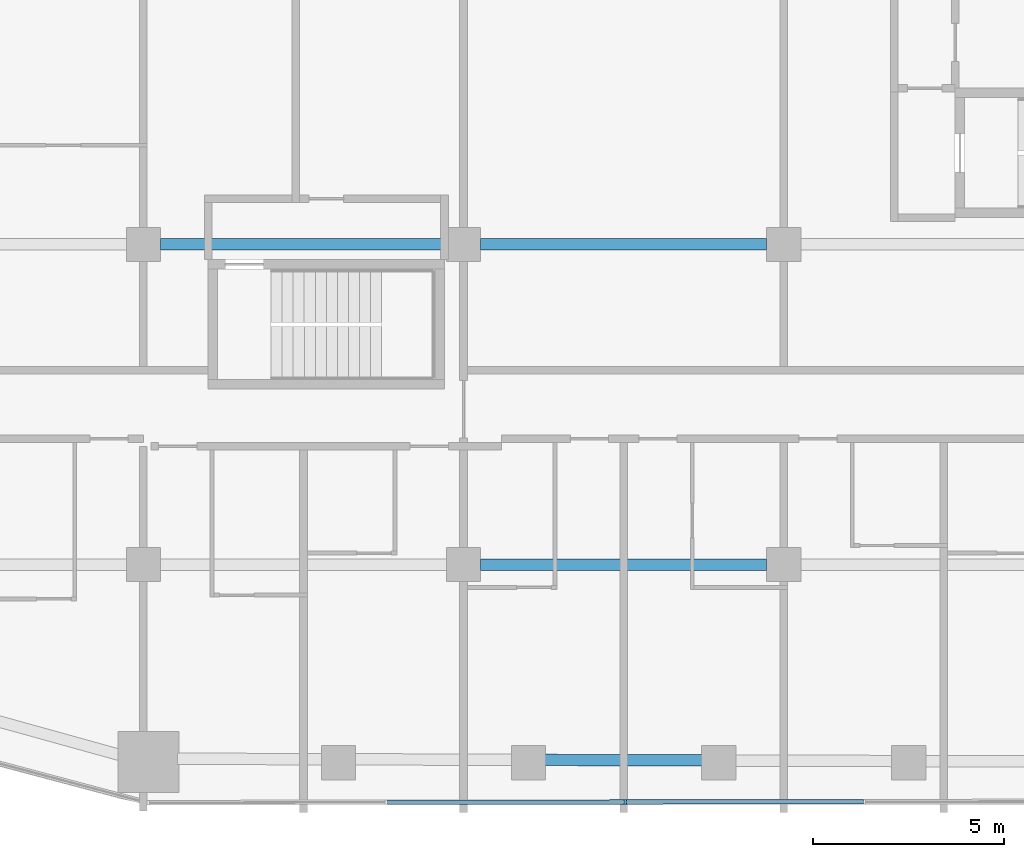
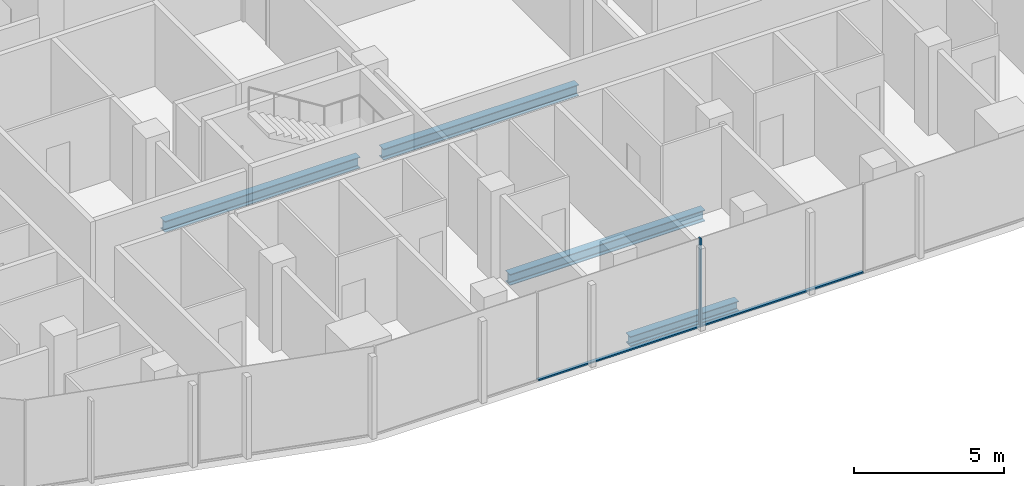
# One storey, part 3 of 23: 4 beams, 3 members, 1 element without a shape of its own.
"""IFC4 building model written with IfcOpenShell, lengths in metres."""

from ifc_helpers import new_model, si_unit, direction, frame, origin, origin_2d, place, context, subcontext, project, spatial, rectangle, i_section, extrude, material, layer, layer_set, material_profile, profile_set, type_object, element, aggregate, save


model = new_model("IFC4")

# Units and contexts
model_context = context("Model", 3, precision=1e-05, world=origin(), true_north=direction((0.0, 1.0)))
body_context = subcontext(model_context, "Body", "Model", "MODEL_VIEW")
ifc_project = project(units=[si_unit("LENGTHUNIT", "METRE"), si_unit("AREAUNIT", "SQUARE_METRE"), si_unit("VOLUMEUNIT", "CUBIC_METRE"), si_unit("PLANEANGLEUNIT", "RADIAN"), si_unit("MASSUNIT", "GRAM", prefix="KILO")], contexts=[model_context])

# Site, building, storey
site_placement = place(None, origin())
site = spatial("IfcSite", under=ifc_project, at=site_placement, CompositionType="ELEMENT")
building_placement = place(site_placement, origin())
building = spatial("IfcBuilding", under=site, at=building_placement, Name="Marenta Gate Hotel Tower", CompositionType="ELEMENT")
storey_placement = place(building_placement, frame((0.0, 0.0, 112.10009765625)))
storey = spatial("IfcBuildingStorey", under=building, at=storey_placement, Name="L24", CompositionType="ELEMENT", Elevation=112.10009765625)

# Beams
ifc_material_1 = material(Name="Steel S355", Category="steel")
ifc_material_profile_1 = material_profile(ifc_material_1, i_section(OverallWidth=0.300048828125, OverallDepth=0.39990234375, WebThickness=0.013427734375, FlangeThickness=0.02392578125, FilletRadius=0.027099609375, at=origin_2d()), Name="HEB 400")
ifc_profile_set_1 = profile_set([ifc_material_profile_1], Name="Steel S355")
beam_type_1 = type_object("IfcBeamType", Name="Edge beam HEB 400", PredefinedType="SPANDREL", material=ifc_profile_set_1)
beam_placement = place(storey_placement, frame((2.08349609375, -21.939453125, -0.460205078125), z_axis=(-0.999994808095, 0.003222387769, 0.0), x_axis=(-0.003222387769, -0.999994808095, 0.0)))
element("IfcBeam", 1, at=beam_placement, inside=storey, type_object=beam_type_1, Name="L24-EB-34", PredefinedType="SPANDREL", context=body_context, shape_type="SweptSolid", body=[
    extrude(i_section(OverallWidth=0.300048828125, OverallDepth=0.39990234375, WebThickness=0.013427734375, FlangeThickness=0.02392578125, FilletRadius=0.027099609375, at=origin_2d()), origin(), (0.0, 0.0, 1.0), 4.1669921875),
])
ifc_material_2 = material(Name="Steel S355", Category="steel")
ifc_material_profile_2 = material_profile(ifc_material_2, i_section(OverallWidth=0.300048828125, OverallDepth=0.449951171875, WebThickness=0.013916015625, FlangeThickness=0.02587890625, FilletRadius=0.027099609375, at=origin_2d()), Name="HEB 450")
ifc_profile_set_2 = profile_set([ifc_material_profile_2], Name="Steel S355")
beam_type_2 = type_object("IfcBeamType", Name="Girder HEB 450", PredefinedType="BEAM", material=ifc_profile_set_2)
for number, where, z_axis, x_axis, name in (
    (2, (-3.75, -16.800048828125, -0.485107421875), (1.0, 0.0, 0.0), (0.0, 1.0, 0.0), "L24-GD-4"),
    (3, (-12.14990234375, -8.39990234375, -0.485107421875), (1.0, 0.0, 0.0), (0.0, 1.0, 0.0), "L24-GD-10"),
    (4, (-3.75, -8.39990234375, -0.485107421875), (1.0, 0.0, 0.0), (0.0, 1.0, 0.0), "L24-GD-11"),
):
    element("IfcBeam", number, at=place(storey_placement, frame(where, z_axis=z_axis, x_axis=x_axis)), inside=storey, type_object=beam_type_2, Name=name, PredefinedType="BEAM", context=body_context, shape_type="SweptSolid", body=[
        extrude(i_section(OverallWidth=0.300048828125, OverallDepth=0.449951171875, WebThickness=0.013916015625, FlangeThickness=0.02587890625, FilletRadius=0.027099609375, at=origin_2d()), origin(), (0.0, 0.0, 1.0), 7.5),
    ])

# Curtain wall, members
ifc_material_3 = material(Name="Tinted insulated glass in bronze anodised frame", Category="glass")
ifc_layer = layer(ifc_material_3, 0.1201171875)
ifc_layer_set = layer_set([ifc_layer], Name="Tinted insulated glass in bronze anodised frame")
curtain_wall_type = type_object("IfcCurtainWallType", Name="Tower unitised curtain wall CW1", PredefinedType="NOTDEFINED", material=ifc_layer_set)
curtain_wall_placement = place(storey_placement, origin())
curtain_wall = element("IfcCurtainWall", 5, at=curtain_wall_placement, inside=storey, type_object=curtain_wall_type, Name="CW1 run G07", PredefinedType="NOTDEFINED")
ifc_material_4 = material(Name="Bronze anodised aluminium", Category="aluminium")
ifc_material_profile_3 = material_profile(ifc_material_4, rectangle(XDim=0.1201171875, YDim=0.06005859375, at=origin_2d()), Name="Mullion CW1 60x120 bronze anodised aluminium")
ifc_profile_set_3 = profile_set([ifc_material_profile_3], Name="Bronze anodised aluminium")
member_type_1 = type_object("IfcMemberType", Name="Mullion CW1 60x120 bronze anodised aluminium", PredefinedType="MULLION", material=ifc_profile_set_3)
member_1_placement = place(storey_placement, frame((0.0458984375, -23.030517578125, 0.0), z_axis=(0.0, 0.0, 1.0), x_axis=(-0.001362347707, 0.999999072004, 0.0)))
member_1 = element("IfcMember", 6, at=member_1_placement, type_object=member_type_1, Name="CW1 mullion 3", PredefinedType="MULLION", context=body_context, shape_type="SweptSolid", body=[
    extrude(rectangle(XDim=0.1201171875, YDim=0.06005859375, at=origin_2d()), origin(), (0.0, 0.0, 1.0), 3.599853515625),
])
ifc_material_5 = material(Name="Bronze anodised aluminium", Category="aluminium")
ifc_material_profile_4 = material_profile(ifc_material_5, rectangle(XDim=0.1201171875, YDim=0.06005859375, at=origin_2d()), Name="Transom CW1 60x120 bronze anodised aluminium")
ifc_profile_set_4 = profile_set([ifc_material_profile_4], Name="Bronze anodised aluminium")
member_type_2 = type_object("IfcMemberType", Name="Transom CW1 60x120 bronze anodised aluminium", PredefinedType="USERDEFINED", material=ifc_profile_set_4)
member_2_placement = place(storey_placement, frame((-6.199951171875, -23.038818359375, 0.02978515625), z_axis=(0.999999108317, 0.001335426932, 0.0), x_axis=(-0.001335426932, 0.999999108317, 0.0)))
member_2 = element("IfcMember", 7, at=member_2_placement, type_object=member_type_2, Name="CW1 transom 2.1", ObjectType="TRANSOM", PredefinedType="USERDEFINED", context=body_context, shape_type="SweptSolid", body=[
    extrude(rectangle(XDim=0.1201171875, YDim=0.06005859375, at=origin_2d()), origin(), (0.0, 0.0, 1.0), 6.2158203125),
])
member_3_placement = place(storey_placement, frame((0.075927734375, -23.0302734375, 0.02978515625), z_axis=(0.999999108387, 0.001335374482, 0.0), x_axis=(-0.001335374482, 0.999999108387, 0.0)))
member_3 = element("IfcMember", 8, at=member_3_placement, type_object=member_type_2, Name="CW1 transom 3.1", ObjectType="TRANSOM", PredefinedType="USERDEFINED", context=body_context, shape_type="SweptSolid", body=[
    extrude(rectangle(XDim=0.1201171875, YDim=0.06005859375, at=origin_2d()), origin(), (0.0, 0.0, 1.0), 6.216064453125),
])
aggregate(curtain_wall, [member_1, member_2, member_3])

save(model, "model.ifc")
